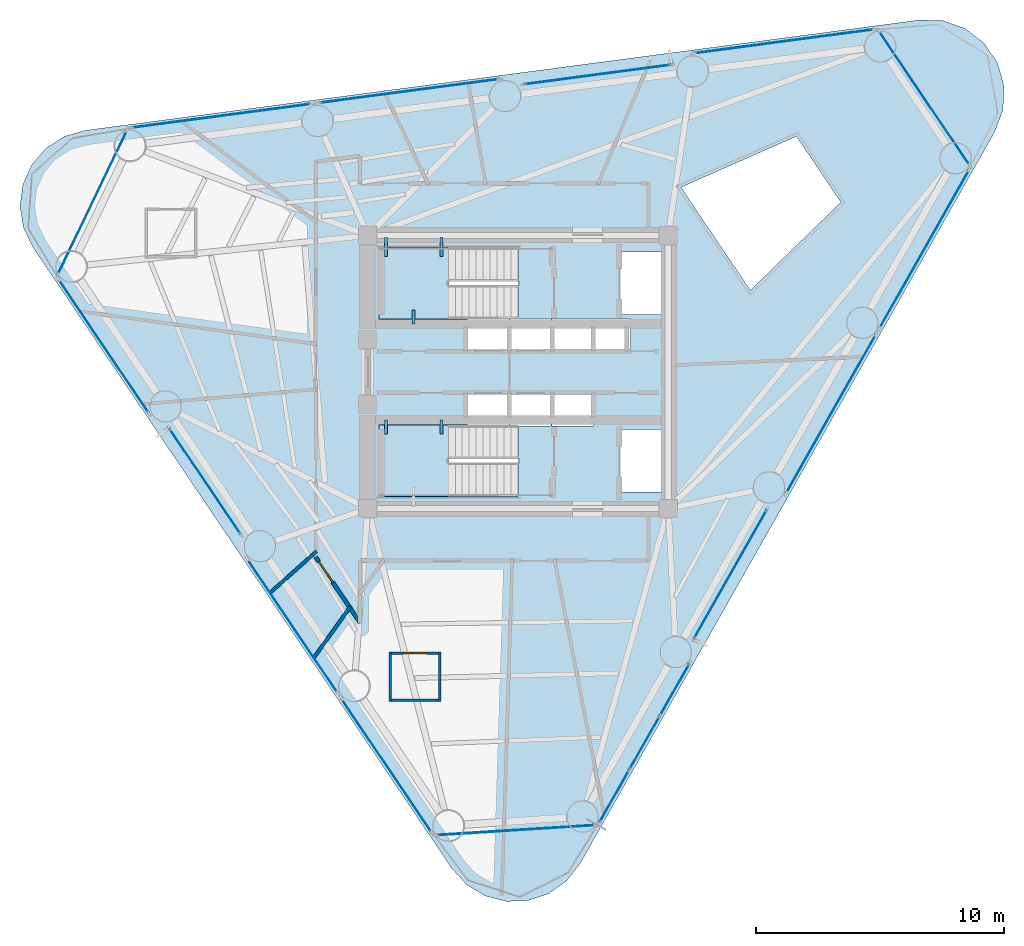
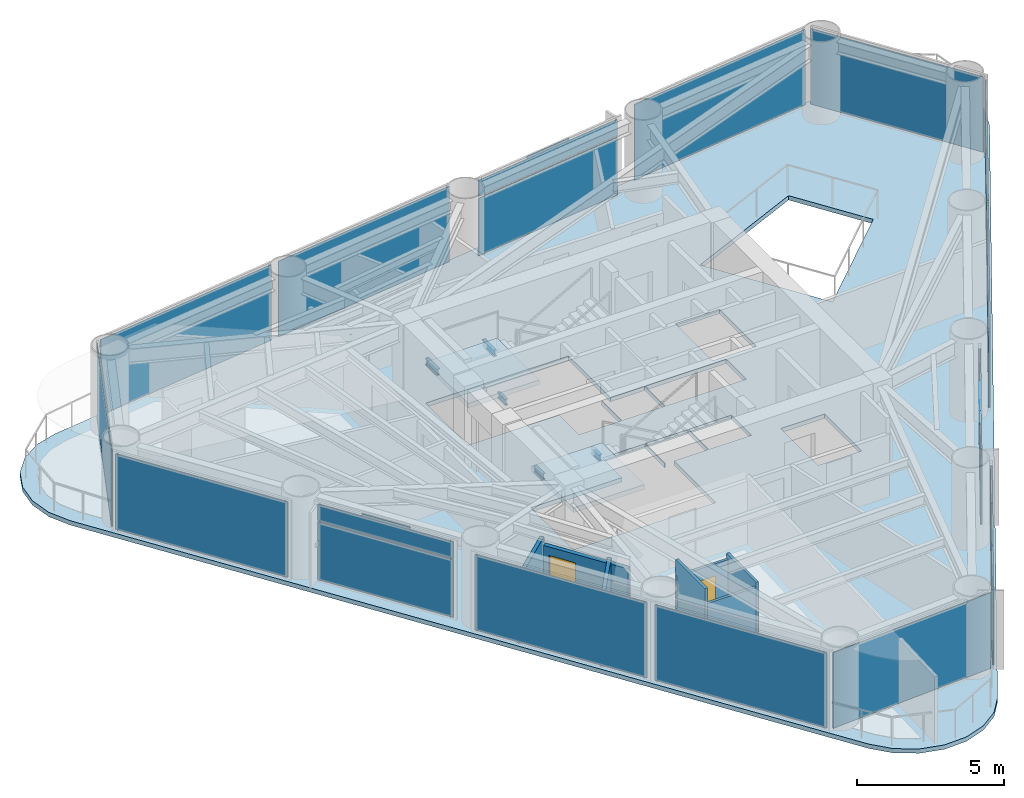
# One storey, part 4 of 9: 26 plates, 7 walls, 5 beams, 3 slabs, 2 doors, 2 openings, 17 elements without a shape of their own.
"""IFC4 building model written with IfcOpenShell, lengths in metres."""

from ifc_helpers import new_model, si_unit, direction, frame, frame_2d, origin, origin_2d, place, context, subcontext, project, spatial, polyline, rectangle, i_section, outline, extrude, source, transform, mapped, material, layer, layer_set, material_profile, profile_set, type_object, element, fill, aggregate, save


model = new_model("IFC4")

# Units and contexts
model_context = context("Model", 3, precision=1e-05, world=origin(), true_north=direction((0.0, 1.0)))
body_context = subcontext(model_context, "Body", "Model", "MODEL_VIEW")
ifc_project = project(units=[si_unit("LENGTHUNIT", "METRE"), si_unit("AREAUNIT", "SQUARE_METRE"), si_unit("VOLUMEUNIT", "CUBIC_METRE"), si_unit("PLANEANGLEUNIT", "RADIAN"), si_unit("MASSUNIT", "GRAM", prefix="KILO")], contexts=[model_context])

# Site, building, storey
site_placement = place(None, origin())
site = spatial("IfcSite", under=ifc_project, at=site_placement, CompositionType="ELEMENT")
building_placement = place(site_placement, origin())
building = spatial("IfcBuilding", under=site, at=building_placement, Name="Yunling Apex Tower", CompositionType="ELEMENT")
storey_placement = place(building_placement, frame((0.0, 0.0, 179.449951171875)))
storey = spatial("IfcBuildingStorey", under=building, at=storey_placement, Name="L44", CompositionType="ELEMENT", Elevation=179.449951171875)

# Beams
ifc_material_1 = material(Name="Steel Q355B", Category="steel")
ifc_material_profile = material_profile(ifc_material_1, i_section(OverallWidth=0.125, OverallDepth=0.25, WebThickness=0.006103515625, FlangeThickness=0.009033203125, FilletRadius=0.011962890625, at=origin_2d()))
ifc_profile_set = profile_set([ifc_material_profile], Name="Steel Q355B")
beam_type = type_object("IfcBeamType", Name="BL-LNT-1", PredefinedType="LINTEL", material=ifc_profile_set)
shared_shape_1 = source(origin(), body_context, "Body", "SweptSolid", [
    extrude(i_section(OverallWidth=0.125, OverallDepth=0.25, WebThickness=0.006103515625, FlangeThickness=0.009033203125, FilletRadius=0.011962890625, at=origin_2d()), origin(), (0.0, 0.0, 1.0), 0.760009765625),
])
for number, where, z_axis, x_axis, name in (
    (1, (-5.320068359375, 5.419921875, 1.405029296875), (0.0, -1.0, 0.0), (1.0, 0.0, 0.0), "L44 ST-1 Landing Bearing Corbel 1-1"),
    (2, (-3.090087890625, 5.419921875, 1.405029296875), (0.0, -1.0, 0.0), (1.0, 0.0, 0.0), "L44 ST-1 Landing Bearing Corbel 1-2"),
):
    element("IfcBeam", number, at=place(storey_placement, frame(where, z_axis=z_axis, x_axis=x_axis)), inside=storey, type_object=beam_type, Name=name, PredefinedType="LINTEL", context=body_context, shape_type="MappedRepresentation", body=[
        mapped(shared_shape_1, transform((0.0, 0.0, 0.0), scale=1.0)),
    ])
shared_shape_2 = source(origin(), body_context, "Body", "SweptSolid", [
    extrude(i_section(OverallWidth=0.125, OverallDepth=0.25, WebThickness=0.006103515625, FlangeThickness=0.009033203125, FilletRadius=0.011962890625, at=origin_2d()), origin(), (0.0, 0.0, 1.0), 0.550048828125),
])
for number, where, z_axis, x_axis, name in (
    (3, (-4.205078125, 1.93994140625, 1.405029296875), (0.0, 1.0, 0.0), (-1.0, 0.0, 0.0), "L44 ST-1 Landing Bearing Corbel 1-3"),
    (4, (-5.320068359375, -1.93994140625, 1.405029296875), (0.0, -1.0, 0.0), (1.0, 0.0, 0.0), "L44 ST-2 Landing Bearing Corbel 1-1"),
    (5, (-3.090087890625, -1.93994140625, 1.405029296875), (0.0, -1.0, 0.0), (1.0, 0.0, 0.0), "L44 ST-2 Landing Bearing Corbel 1-2"),
):
    element("IfcBeam", number, at=place(storey_placement, frame(where, z_axis=z_axis, x_axis=x_axis)), inside=storey, type_object=beam_type, Name=name, PredefinedType="LINTEL", context=body_context, shape_type="MappedRepresentation", body=[
        mapped(shared_shape_2, transform((0.0, 0.0, 0.0), scale=1.0)),
    ])

# Slab
ifc_material_2 = material(Name="Concrete C40", Category="concrete")
ifc_layer_1 = layer(ifc_material_2, 0.1650390625)
ifc_layer_set_1 = layer_set([ifc_layer_1], Name="Concrete C40")
slab_type_1 = type_object("IfcSlabType", Name="SL-FLR-2", PredefinedType="FLOOR", material=ifc_layer_set_1)
slab_1_placement = place(storey_placement, frame((0.0, 0.0, -0.179931640625)))
element("IfcSlab", 6, at=slab_1_placement, inside=storey, type_object=slab_type_1, Name="L44 Composite Tower Floor Slab", PredefinedType="FLOOR", context=body_context, shape_type="SweptSolid", body=[
    extrude(outline(polyline([(-2.665771484375, -20.00146484375), (-2.073486328125, -20.65185546875), (-1.31982421875, -21.10546875), (-0.468017578125, -21.32421875), (0.410888671875, -21.2900390625), (1.243408203125, -21.005615234375), (1.95947265625, -20.494873046875), (2.499267578125, -19.80029296875), (19.197998046875, 9.66650390625), (19.533203125, 10.565185546875), (19.572021484375, 11.5234375), (19.31005859375, 12.4462890625), (18.773681640625, 13.241455078125), (18.01611328125, 13.830078125), (17.113037109375, 14.1533203125), (16.154296875, 14.178955078125), (-17.422119140625, 9.734619140625), (-18.268310546875, 9.494384765625), (-19.01025390625, 9.021728515625), (-19.585693359375, 8.3564453125), (-19.947021484375, 7.554443359375), (-20.06298828125, 6.682373046875), (-19.9248046875, 5.813720703125), (-19.543701171875, 5.02099609375), (-2.665771484375, -20.00146484375)]), holes=[polyline([(11.209228515625, 9.49072265625), (12.998779296875, 6.837890625), (9.356689453125, 3.295654296875), (6.560791015625, 7.44091796875), (11.209228515625, 9.49072265625)]), polyline([(4.090087890625, -2.320068359375), (5.81005859375, -2.320068359375), (5.81005859375, -4.840087890625), (4.090087890625, -4.840087890625), (4.090087890625, -2.320068359375)]), polyline([(5.81005859375, 4.840087890625), (5.81005859375, 2.320068359375), (4.090087890625, 2.320068359375), (4.090087890625, 4.840087890625), (5.81005859375, 4.840087890625)]), polyline([(1.364990234375, 2.1650390625), (4.534912109375, 2.1650390625), (4.534912109375, 0.794921875), (1.364990234375, 0.794921875), (1.364990234375, 2.1650390625)]), polyline([(3.034912109375, -0.794921875), (3.034912109375, -2.1650390625), (1.364990234375, -2.1650390625), (1.364990234375, -0.794921875), (3.034912109375, -0.794921875)]), polyline([(-2.034912109375, -0.794921875), (-0.364990234375, -0.794921875), (-0.364990234375, -2.139892578125), (-0.3349609375, -2.139892578125), (-0.3349609375, -0.794921875), (1.3349609375, -0.794921875), (1.3349609375, -2.1650390625), (-0.010009765625, -2.1650390625), (-0.010009765625, -5.010009765625), (-5.60009765625, -5.010009765625), (-5.60009765625, -2.139892578125), (-2.034912109375, -2.139892578125), (-2.034912109375, -0.794921875)]), polyline([(-5.60009765625, 2.139892578125), (-5.60009765625, 5.010009765625), (-0.010009765625, 5.010009765625), (-0.010009765625, 2.1650390625), (1.3349609375, 2.1650390625), (1.3349609375, 0.794921875), (-0.3349609375, 0.794921875), (-0.3349609375, 2.139892578125), (-0.364990234375, 2.139892578125), (-0.364990234375, 0.794921875), (-2.034912109375, 0.794921875), (-2.034912109375, 2.139892578125), (-5.60009765625, 2.139892578125)])]), origin(), (0.0, 0.0, 1.0), 0.179931640625),
])

# Stair, slab
stair_type = type_object("IfcStairType", Name="ST-TWR-2", PredefinedType="HALF_TURN_STAIR", material=ifc_material_2)
stair_1_placement = place(storey_placement, origin())
stair_1 = element("IfcStair", 7, at=stair_1_placement, inside=storey, type_object=stair_type, Name="L44 North Core Smokeproof Exit Stair ST-1", PredefinedType="HALF_TURN_STAIR")
ifc_layer_2 = layer(ifc_material_2, 0.195068359375)
ifc_layer_set_2 = layer_set([ifc_layer_2], Name="Concrete C40")
slab_type_2 = type_object("IfcSlabType", Name="SL-LND-1", PredefinedType="LANDING", material=ifc_layer_set_2)
slab_2_placement = place(storey_placement, frame((0.0, 0.0, 1.530029296875)))
slab_2 = element("IfcSlab", 8, at=slab_2_placement, type_object=slab_type_2, Name="ST-1 landing 1", PredefinedType="LANDING", context=body_context, shape_type="SweptSolid", body=[
    extrude(outline(polyline([(-2.81005859375, 5.010009765625), (-5.60009765625, 5.010009765625), (-5.60009765625, 2.139892578125), (-2.81005859375, 2.139892578125), (-2.81005859375, 5.010009765625)])), origin(), (0.0, 0.0, 1.0), 0.195068359375),
])
aggregate(stair_1, [slab_2])

stair_2_placement = place(storey_placement, origin())
stair_2 = element("IfcStair", 9, at=stair_2_placement, inside=storey, type_object=stair_type, Name="L44 South Core Smokeproof Exit Stair ST-2", PredefinedType="HALF_TURN_STAIR")
slab_3_placement = place(storey_placement, frame((0.0, 0.0, 1.530029296875)))
slab_3 = element("IfcSlab", 10, at=slab_3_placement, type_object=slab_type_2, Name="ST-2 landing 1", PredefinedType="LANDING", context=body_context, shape_type="SweptSolid", body=[
    extrude(outline(polyline([(-2.81005859375, -2.139892578125), (-5.60009765625, -2.139892578125), (-5.60009765625, -5.010009765625), (-2.81005859375, -5.010009765625), (-2.81005859375, -2.139892578125)])), origin(), (0.0, 0.0, 1.0), 0.195068359375),
])
aggregate(stair_2, [slab_3])

# Plates
ifc_material_3 = material(Name="Bronze anodised aluminium", Category="aluminium")
ifc_layer_3 = layer(ifc_material_3, 0.011962890625)
ifc_layer_set_3 = layer_set([ifc_layer_3], Name="Bronze anodised aluminium")
plate_type_1 = type_object("IfcPlateType", Name="SP-SHT-1", PredefinedType="SHEET", material=ifc_layer_set_3)
shared_shape_3 = source(origin(), body_context, "Body", "SweptSolid", [
    extrude(rectangle(XDim=1.800048828125, YDim=0.02392578125, at=origin_2d()), origin(), (0.0, 0.0, 1.0), 0.43994140625),
])
for number, where, z_axis, x_axis, name in (
    (11, (8.552490234375, -8.1455078125, 2.8701171875), (0.0, 0.0, 1.0), (0.493031062956, 0.87001170737, 0.0), "SP-GRV-L44-F1"),
    (12, (3.206298828125, 11.98095703125, 2.8701171875), (0.0, 0.0, 1.0), (-0.9913534953, -0.131218319443, 0.0), "SP-GRV-L44-F2"),
    (13, (-12.60546875, -4.40673828125, 2.8701171875), (0.0, 0.0, 1.0), (0.559192903471, -0.829037572555, 0.0), "SP-GRV-L44-F3"),
):
    element("IfcPlate", number, at=place(storey_placement, frame(where, z_axis=z_axis, x_axis=x_axis)), inside=storey, type_object=plate_type_1, Name=name, PredefinedType="SHEET", context=body_context, shape_type="MappedRepresentation", body=[
        mapped(shared_shape_3, transform((0.0, 0.0, 0.0), scale=1.0)),
    ])

# Curtain wall, plates
ifc_layer_4 = layer(ifc_material_3, 0.239990234375)
ifc_layer_set_4 = layer_set([ifc_layer_4], Name="Bronze anodised aluminium")
curtain_wall_type = type_object("IfcCurtainWallType", Name="CW-SYS-3", PredefinedType="NOTDEFINED", material=ifc_layer_set_4)
curtain_wall_1_placement = place(storey_placement, origin())
curtain_wall_1 = element("IfcCurtainWall", 14, at=curtain_wall_1_placement, inside=storey, type_object=curtain_wall_type, Name="CW-L44-F1-B1", PredefinedType="NOTDEFINED")
ifc_material_4 = material(Name="Bronze tinted low-E glass", Category="glass")
ifc_layer_5 = layer(ifc_material_4, 0.031982421875)
ifc_layer_set_5 = layer_set([ifc_layer_5], Name="Bronze tinted low-E glass")
plate_type_2 = type_object("IfcPlateType", Name="CW-PNL-3", PredefinedType="CURTAIN_PANEL", material=ifc_layer_set_5)
shared_shape_4 = source(origin(), body_context, "Body", "SweptSolid", [
    extrude(rectangle(XDim=2.3828125, YDim=0.031982421875, at=origin_2d()), origin(), (0.0, 0.0, 1.0), 2.381103515625),
])
plate_1_placement = place(storey_placement, frame((3.874755859375, -17.089111328125, 0.072265625), z_axis=(0.0, 0.0, 1.0), x_axis=(0.493040979859, 0.870006087438, 0.0)))
plate_1 = element("IfcPlate", 15, at=plate_1_placement, type_object=plate_type_2, Name="CW-SYS-3 panel 1.1", PredefinedType="CURTAIN_PANEL", context=body_context, shape_type="MappedRepresentation", body=[
    mapped(shared_shape_4, transform((0.0, 0.0, 0.0), scale=1.0)),
])
plate_2_placement = place(storey_placement, frame((6.307373046875, -12.796875, 0.072265625), z_axis=(0.0, 0.0, 1.0), x_axis=(0.493040979859, 0.870006087438, 0.0)))
plate_2 = element("IfcPlate", 16, at=plate_2_placement, type_object=plate_type_2, Name="CW-SYS-3 panel 3.1", PredefinedType="CURTAIN_PANEL", context=body_context, shape_type="MappedRepresentation", body=[
    mapped(shared_shape_4, transform((0.0, 0.0, 0.0), scale=1.0)),
])
shared_shape_5 = source(origin(), body_context, "Body", "SweptSolid", [
    extrude(rectangle(XDim=2.3828125, YDim=0.031982421875, at=origin_2d()), origin(), (0.0, 0.0, 1.0), 0.680908203125),
])
plate_3_placement = place(storey_placement, frame((3.874755859375, -17.089111328125, 2.51708984375), z_axis=(0.0, 0.0, 1.0), x_axis=(0.493040979859, 0.870006087438, 0.0)))
plate_3 = element("IfcPlate", 17, at=plate_3_placement, type_object=plate_type_2, Name="CW-SYS-3 panel 1.2", PredefinedType="CURTAIN_PANEL", context=body_context, shape_type="MappedRepresentation", body=[
    mapped(shared_shape_5, transform((0.0, 0.0, 0.0), scale=1.0)),
])
plate_4_placement = place(storey_placement, frame((6.307373046875, -12.796875, 2.51708984375), z_axis=(0.0, 0.0, 1.0), x_axis=(0.493040979859, 0.870006087438, 0.0)))
plate_4 = element("IfcPlate", 18, at=plate_4_placement, type_object=plate_type_2, Name="CW-SYS-3 panel 3.2", PredefinedType="CURTAIN_PANEL", context=body_context, shape_type="MappedRepresentation", body=[
    mapped(shared_shape_5, transform((0.0, 0.0, 0.0), scale=1.0)),
])
shared_shape_6 = source(origin(), body_context, "Body", "SweptSolid", [
    extrude(rectangle(XDim=2.4228515625, YDim=0.031982421875, at=origin_2d()), origin(), (0.0, 0.0, 1.0), 2.381103515625),
])
plate_5_placement = place(storey_placement, frame((5.091064453125, -14.943115234375, 0.072265625), z_axis=(0.0, 0.0, 1.0), x_axis=(0.493040979859, 0.870006087438, 0.0)))
plate_5 = element("IfcPlate", 19, at=plate_5_placement, type_object=plate_type_2, Name="CW-SYS-3 panel 2.1", PredefinedType="CURTAIN_PANEL", context=body_context, shape_type="MappedRepresentation", body=[
    mapped(shared_shape_6, transform((0.0, 0.0, 0.0), scale=1.0)),
])
shared_shape_7 = source(origin(), body_context, "Body", "SweptSolid", [
    extrude(rectangle(XDim=2.4228515625, YDim=0.031982421875, at=origin_2d()), origin(), (0.0, 0.0, 1.0), 0.680908203125),
])
plate_6_placement = place(storey_placement, frame((5.091064453125, -14.943115234375, 2.51708984375), z_axis=(0.0, 0.0, 1.0), x_axis=(0.493040979859, 0.870006087438, 0.0)))
plate_6 = element("IfcPlate", 20, at=plate_6_placement, type_object=plate_type_2, Name="CW-SYS-3 panel 2.2", PredefinedType="CURTAIN_PANEL", context=body_context, shape_type="MappedRepresentation", body=[
    mapped(shared_shape_7, transform((0.0, 0.0, 0.0), scale=1.0)),
])
aggregate(curtain_wall_1, [plate_1, plate_3, plate_5, plate_6, plate_2, plate_4])

# Curtain wall, plate
curtain_wall_2_placement = place(storey_placement, origin())
curtain_wall_2 = element("IfcCurtainWall", 21, at=curtain_wall_2_placement, inside=storey, type_object=curtain_wall_type, Name="CW-L44-F1-B2", PredefinedType="NOTDEFINED")
shared_shape_8 = source(origin(), body_context, "Body", "SweptSolid", [
    extrude(rectangle(XDim=5.9365234375, YDim=0.031982421875, at=origin_2d()), origin(), (0.0, 0.0, 1.0), 2.381103515625),
])
plate_7_placement = place(storey_placement, frame((8.552490234375, -8.145263671875, 0.072265625), z_axis=(0.0, 0.0, 1.0), x_axis=(0.493047012471, 0.87000266867, 0.0)))
plate_7 = element("IfcPlate", 22, at=plate_7_placement, type_object=plate_type_2, Name="CW-SYS-3 panel 1.1", PredefinedType="CURTAIN_PANEL", context=body_context, shape_type="MappedRepresentation", body=[
    mapped(shared_shape_8, transform((0.0, 0.0, 0.0), scale=1.0)),
])

curtain_wall_3_placement = place(storey_placement, origin())
curtain_wall_3 = element("IfcCurtainWall", 23, at=curtain_wall_3_placement, inside=storey, type_object=curtain_wall_type, Name="CW-L44-F2-B2", PredefinedType="NOTDEFINED")
plate_8_placement = place(storey_placement, frame((3.206298828125, 11.98095703125, 0.072265625), z_axis=(0.0, 0.0, 1.0), x_axis=(-0.99135526932, -0.131204916036, 0.0)))
plate_8 = element("IfcPlate", 24, at=plate_8_placement, type_object=plate_type_2, Name="CW-SYS-3 panel 1.1", PredefinedType="CURTAIN_PANEL", context=body_context, shape_type="MappedRepresentation", body=[
    mapped(shared_shape_8, transform((0.0, 0.0, 0.0), scale=1.0)),
])

# Plate
shared_shape_9 = source(origin(), body_context, "Body", "SweptSolid", [
    extrude(rectangle(XDim=5.9365234375, YDim=0.031982421875, at=origin_2d()), origin(), (0.0, 0.0, 1.0), 0.680908203125),
])
plate_9_placement = place(storey_placement, frame((8.552490234375, -8.145263671875, 2.51708984375), z_axis=(0.0, 0.0, 1.0), x_axis=(0.493047012471, 0.87000266867, 0.0)))
plate_9 = element("IfcPlate", 25, at=plate_9_placement, type_object=plate_type_2, Name="CW-SYS-3 panel 1.2", PredefinedType="CURTAIN_PANEL", context=body_context, shape_type="MappedRepresentation", body=[
    mapped(shared_shape_9, transform((0.0, 0.0, 0.0), scale=1.0)),
])

aggregate(curtain_wall_2, [plate_7, plate_9])

plate_10_placement = place(storey_placement, frame((3.206298828125, 11.98095703125, 2.51708984375), z_axis=(0.0, 0.0, 1.0), x_axis=(-0.99135526932, -0.131204916036, 0.0)))
plate_10 = element("IfcPlate", 26, at=plate_10_placement, type_object=plate_type_2, Name="CW-SYS-3 panel 1.2", PredefinedType="CURTAIN_PANEL", context=body_context, shape_type="MappedRepresentation", body=[
    mapped(shared_shape_9, transform((0.0, 0.0, 0.0), scale=1.0)),
])

aggregate(curtain_wall_3, [plate_8, plate_10])

# Curtain wall, plate
curtain_wall_4_placement = place(storey_placement, origin())
curtain_wall_4 = element("IfcCurtainWall", 27, at=curtain_wall_4_placement, inside=storey, type_object=curtain_wall_type, Name="CW-L44-F1-B3", PredefinedType="NOTDEFINED")
shared_shape_10 = source(origin(), body_context, "Body", "SweptSolid", [
    extrude(rectangle(XDim=7.316650390625, YDim=0.031982421875, at=origin_2d()), origin(), (0.0, 0.0, 1.0), 3.1259765625),
])
plate_11_placement = place(storey_placement, frame((12.60546875, -1.682861328125, 0.072021484375), z_axis=(0.0, 0.0, 1.0), x_axis=(0.493035230416, 0.870009345679, 0.0)))
plate_11 = element("IfcPlate", 28, at=plate_11_placement, type_object=plate_type_2, Name="CW-SYS-3 panel 1.1", PredefinedType="CURTAIN_PANEL", context=body_context, shape_type="MappedRepresentation", body=[
    mapped(shared_shape_10, transform((0.0, 0.0, 0.0), scale=1.0)),
])
aggregate(curtain_wall_4, [plate_11])

curtain_wall_5_placement = place(storey_placement, origin())
curtain_wall_5 = element("IfcCurtainWall", 29, at=curtain_wall_5_placement, inside=storey, type_object=curtain_wall_type, Name="CW-L44-F1-B4", PredefinedType="NOTDEFINED")
plate_12_placement = place(storey_placement, frame((16.362548828125, 4.947021484375, 0.072021484375), z_axis=(0.0, 0.0, 1.0), x_axis=(0.493040979859, 0.870006087438, 0.0)))
plate_12 = element("IfcPlate", 30, at=plate_12_placement, type_object=plate_type_2, Name="CW-SYS-3 panel 1.1", PredefinedType="CURTAIN_PANEL", context=body_context, shape_type="MappedRepresentation", body=[
    mapped(shared_shape_10, transform((0.0, 0.0, 0.0), scale=1.0)),
])
aggregate(curtain_wall_5, [plate_12])

curtain_wall_6_placement = place(storey_placement, origin())
curtain_wall_6 = element("IfcCurtainWall", 31, at=curtain_wall_6_placement, inside=storey, type_object=curtain_wall_type, Name="CW-L44-F2-B1", PredefinedType="NOTDEFINED")
plate_13_placement = place(storey_placement, frame((10.716552734375, 13.31787109375, 0.072021484375), z_axis=(0.0, 0.0, 1.0), x_axis=(-0.991352945496, -0.131222473138, 0.0)))
plate_13 = element("IfcPlate", 32, at=plate_13_placement, type_object=plate_type_2, Name="CW-SYS-3 panel 1.1", PredefinedType="CURTAIN_PANEL", context=body_context, shape_type="MappedRepresentation", body=[
    mapped(shared_shape_10, transform((0.0, 0.0, 0.0), scale=1.0)),
])
aggregate(curtain_wall_6, [plate_13])

curtain_wall_7_placement = place(storey_placement, origin())
curtain_wall_7 = element("IfcCurtainWall", 33, at=curtain_wall_7_placement, inside=storey, type_object=curtain_wall_type, Name="CW-L44-F2-B3", PredefinedType="NOTDEFINED")
plate_14_placement = place(storey_placement, frame((-4.39306640625, 11.318115234375, 0.072021484375), z_axis=(0.0, 0.0, 1.0), x_axis=(-0.991354689071, -0.13120930019, 0.0)))
plate_14 = element("IfcPlate", 34, at=plate_14_placement, type_object=plate_type_2, Name="CW-SYS-3 panel 1.1", PredefinedType="CURTAIN_PANEL", context=body_context, shape_type="MappedRepresentation", body=[
    mapped(shared_shape_10, transform((0.0, 0.0, 0.0), scale=1.0)),
])
aggregate(curtain_wall_7, [plate_14])

curtain_wall_8_placement = place(storey_placement, origin())
curtain_wall_8 = element("IfcCurtainWall", 35, at=curtain_wall_8_placement, inside=storey, type_object=curtain_wall_type, Name="CW-L44-F2-B4", PredefinedType="NOTDEFINED")
plate_15_placement = place(storey_placement, frame((-11.94775390625, 10.318115234375, 0.072021484375), z_axis=(0.0, 0.0, 1.0), x_axis=(-0.991352945496, -0.131222473138, 0.0)))
plate_15 = element("IfcPlate", 36, at=plate_15_placement, type_object=plate_type_2, Name="CW-SYS-3 panel 1.1", PredefinedType="CURTAIN_PANEL", context=body_context, shape_type="MappedRepresentation", body=[
    mapped(shared_shape_10, transform((0.0, 0.0, 0.0), scale=1.0)),
])
aggregate(curtain_wall_8, [plate_15])

curtain_wall_9_placement = place(storey_placement, origin())
curtain_wall_9 = element("IfcCurtainWall", 37, at=curtain_wall_9_placement, inside=storey, type_object=curtain_wall_type, Name="CW-L44-CRN1", PredefinedType="NOTDEFINED")
shared_shape_11 = source(origin(), body_context, "Body", "SweptSolid", [
    extrude(rectangle(XDim=6.521728515625, YDim=0.031982421875, at=origin_2d()), origin(), (0.0, 0.0, 1.0), 3.1259765625),
])
plate_16_placement = place(storey_placement, frame((16.360107421875, 11.03515625, 0.072021484375), z_axis=(0.0, 0.0, 1.0), x_axis=(-0.559192747259, 0.829037677921, 0.0)))
plate_16 = element("IfcPlate", 38, at=plate_16_placement, type_object=plate_type_2, Name="CW-SYS-3 panel 1.1", PredefinedType="CURTAIN_PANEL", context=body_context, shape_type="MappedRepresentation", body=[
    mapped(shared_shape_11, transform((0.0, 0.0, 0.0), scale=1.0)),
])
aggregate(curtain_wall_9, [plate_16])

curtain_wall_10_placement = place(storey_placement, origin())
curtain_wall_10 = element("IfcCurtainWall", 39, at=curtain_wall_10_placement, inside=storey, type_object=curtain_wall_type, Name="CW-L44-CRN2", PredefinedType="NOTDEFINED")
shared_shape_12 = source(origin(), body_context, "Body", "SweptSolid", [
    extrude(rectangle(XDim=6.441162109375, YDim=0.031982421875, at=origin_2d()), origin(), (0.0, 0.0, 1.0), 3.1259765625),
])
plate_17_placement = place(storey_placement, frame((-17.144775390625, 6.828857421875, 0.072021484375), z_axis=(0.0, 0.0, 1.0), x_axis=(-0.431993843071, -0.901876554496, 0.0)))
plate_17 = element("IfcPlate", 40, at=plate_17_placement, type_object=plate_type_2, Name="CW-SYS-3 panel 1.1", PredefinedType="CURTAIN_PANEL", context=body_context, shape_type="MappedRepresentation", body=[
    mapped(shared_shape_12, transform((0.0, 0.0, 0.0), scale=1.0)),
])
aggregate(curtain_wall_10, [plate_17])

curtain_wall_11_placement = place(storey_placement, origin())
curtain_wall_11 = element("IfcCurtainWall", 41, at=curtain_wall_11_placement, inside=storey, type_object=curtain_wall_type, Name="CW-L44-CRN3", PredefinedType="NOTDEFINED")
plate_18_placement = place(storey_placement, frame((-0.091064453125, -18.454345703125, 0.072021484375), z_axis=(0.0, 0.0, 1.0), x_axis=(0.998034158431, 0.062672311308, 0.0)))
plate_18 = element("IfcPlate", 42, at=plate_18_placement, type_object=plate_type_2, Name="CW-SYS-3 panel 1.1", PredefinedType="CURTAIN_PANEL", context=body_context, shape_type="MappedRepresentation", body=[
    mapped(shared_shape_12, transform((0.0, 0.0, 0.0), scale=1.0)),
])
aggregate(curtain_wall_11, [plate_18])

curtain_wall_12_placement = place(storey_placement, origin())
curtain_wall_12 = element("IfcCurtainWall", 43, at=curtain_wall_12_placement, inside=storey, type_object=curtain_wall_type, Name="CW-L44-F3-B1", PredefinedType="NOTDEFINED")
shared_shape_13 = source(origin(), body_context, "Body", "SweptSolid", [
    extrude(rectangle(XDim=6.487060546875, YDim=0.031982421875, at=origin_2d()), origin(), (0.0, 0.0, 1.0), 3.1259765625),
])
plate_19_placement = place(storey_placement, frame((-16.684814453125, 1.033203125, 0.072021484375), z_axis=(0.0, 0.0, 1.0), x_axis=(0.559181442901, -0.829045302692, 0.0)))
plate_19 = element("IfcPlate", 44, at=plate_19_placement, type_object=plate_type_2, Name="CW-SYS-3 panel 1.1", PredefinedType="CURTAIN_PANEL", context=body_context, shape_type="MappedRepresentation", body=[
    mapped(shared_shape_13, transform((0.0, 0.0, 0.0), scale=1.0)),
])
aggregate(curtain_wall_12, [plate_19])

curtain_wall_13_placement = place(storey_placement, origin())
curtain_wall_13 = element("IfcCurtainWall", 45, at=curtain_wall_13_placement, inside=storey, type_object=curtain_wall_type, Name="CW-L44-F3-B3", PredefinedType="NOTDEFINED")
plate_20_placement = place(storey_placement, frame((-9.08984375, -10.226806640625, 0.072021484375), z_axis=(0.0, 0.0, 1.0), x_axis=(0.559188434042, -0.829040587205, 0.0)))
plate_20 = element("IfcPlate", 46, at=plate_20_placement, type_object=plate_type_2, Name="CW-SYS-3 panel 1.1", PredefinedType="CURTAIN_PANEL", context=body_context, shape_type="MappedRepresentation", body=[
    mapped(shared_shape_13, transform((0.0, 0.0, 0.0), scale=1.0)),
])
aggregate(curtain_wall_13, [plate_20])

curtain_wall_14_placement = place(storey_placement, origin())
curtain_wall_14 = element("IfcCurtainWall", 47, at=curtain_wall_14_placement, inside=storey, type_object=curtain_wall_type, Name="CW-L44-F3-B4", PredefinedType="NOTDEFINED")
plate_21_placement = place(storey_placement, frame((-5.29248046875, -15.85693359375, 0.072021484375), z_axis=(0.0, 0.0, 1.0), x_axis=(0.559181442901, -0.829045302692, 0.0)))
plate_21 = element("IfcPlate", 48, at=plate_21_placement, type_object=plate_type_2, Name="CW-SYS-3 panel 1.1", PredefinedType="CURTAIN_PANEL", context=body_context, shape_type="MappedRepresentation", body=[
    mapped(shared_shape_13, transform((0.0, 0.0, 0.0), scale=1.0)),
])
aggregate(curtain_wall_14, [plate_21])

# Curtain wall, plates
curtain_wall_15_placement = place(storey_placement, origin())
curtain_wall_15 = element("IfcCurtainWall", 49, at=curtain_wall_15_placement, inside=storey, type_object=curtain_wall_type, Name="CW-L44-F3-B2", PredefinedType="NOTDEFINED")
shared_shape_14 = source(origin(), body_context, "Body", "SweptSolid", [
    extrude(rectangle(XDim=5.10693359375, YDim=0.031982421875, at=origin_2d()), origin(), (0.0, 0.0, 1.0), 2.381103515625),
])
plate_22_placement = place(storey_placement, frame((-12.60546875, -4.40673828125, 0.072265625), z_axis=(0.0, 0.0, 1.0), x_axis=(0.559209856873, -0.829026137089, 0.0)))
plate_22 = element("IfcPlate", 50, at=plate_22_placement, type_object=plate_type_2, Name="CW-SYS-3 panel 1.1", PredefinedType="CURTAIN_PANEL", context=body_context, shape_type="MappedRepresentation", body=[
    mapped(shared_shape_14, transform((0.0, 0.0, 0.0), scale=1.0)),
])
shared_shape_15 = source(origin(), body_context, "Body", "SweptSolid", [
    extrude(rectangle(XDim=5.10693359375, YDim=0.031982421875, at=origin_2d()), origin(), (0.0, 0.0, 1.0), 0.680908203125),
])
plate_23_placement = place(storey_placement, frame((-12.60546875, -4.40673828125, 2.51708984375), z_axis=(0.0, 0.0, 1.0), x_axis=(0.559209856873, -0.829026137089, 0.0)))
plate_23 = element("IfcPlate", 51, at=plate_23_placement, type_object=plate_type_2, Name="CW-SYS-3 panel 1.2", PredefinedType="CURTAIN_PANEL", context=body_context, shape_type="MappedRepresentation", body=[
    mapped(shared_shape_15, transform((0.0, 0.0, 0.0), scale=1.0)),
])
aggregate(curtain_wall_15, [plate_22, plate_23])

# Wall, opening, door
ifc_material_5 = material(Name="Gypsum board acoustic partition")
ifc_layer_6 = layer(ifc_material_5, 0.159912109375)
ifc_layer_set_6 = layer_set([ifc_layer_6], Name="Gypsum board acoustic partition")
wall_type_1 = type_object("IfcWallType", Name="WL-PRT-1", PredefinedType="PARTITIONING", material=ifc_layer_set_6)
wall_1_placement = place(storey_placement, frame((-6.360107421875, -10.107421875, 0.0), z_axis=(0.0, 0.0, 1.0), x_axis=(-0.559145325895, 0.829069662049, 0.0)))
wall_1 = element("IfcWall", 52, at=wall_1_placement, inside=storey, type_object=wall_type_1, Name="WL-CORR-L44-01", PredefinedType="PARTITIONING", context=body_context, shape_type="SweptSolid", body=[
    extrude(rectangle(XDim=3.200927734375, YDim=0.159912109375, at=frame_2d((1.6005859375, 0.0))), origin(), (0.0, 0.0, 1.0), 2.60498046875),
])
opening_1_placement = place(wall_1_placement, frame((1.980712890625, 0.0, 0.0)))
opening_1 = element("IfcOpeningElement", 53, at=opening_1_placement, cuts=wall_1, Name="Opening DR-OFF-1", PredefinedType="OPENING", context=body_context, shape_type="SweptSolid", body=[
    extrude(rectangle(XDim=1.0, YDim=2.25, at=frame_2d((0.5, 1.125))), frame((0.0, 0.08984375, 0.0), z_axis=(0.0, -1.0, 0.0), x_axis=(1.0, 0.0, 0.0)), (0.0, 0.0, 1.0), 0.179931640625),
])
door_type_1 = type_object("IfcDoorType", Name="DR-OFF-1", OperationType="NOTDEFINED", PredefinedType="DOOR", material=ifc_material_3)
door_1_placement = place(opening_1_placement, origin())
door_1 = element("IfcDoor", 54, at=door_1_placement, inside=storey, type_object=door_type_1, Name="L44 Banquet Pantry Kitchen Door", OperationType="SINGLE_SWING_RIGHT", OverallHeight=2.25, OverallWidth=1.0, PredefinedType="DOOR", context=body_context, shape_type="SweptSolid", body=[
    extrude(rectangle(XDim=1.0, YDim=2.25, at=frame_2d((0.5, 1.125))), frame((0.0, 0.02490234375, 0.0), z_axis=(0.0, -1.0, 0.0), x_axis=(1.0, 0.0, 0.0)), (0.0, 0.0, 1.0), 0.050048828125),
])
fill(opening_1, door_1)

# Walls
ifc_layer_7 = layer(ifc_material_5, 0.139892578125)
ifc_layer_set_7 = layer_set([ifc_layer_7], Name="Gypsum board acoustic partition")
wall_type_2 = type_object("IfcWallType", Name="WL-PRT-2", PredefinedType="PARTITIONING", material=ifc_layer_set_7)
wall_2_placement = place(storey_placement, frame((-8.110107421875, -7.21728515625, 0.0), z_axis=(0.0, 0.0, 1.0), x_axis=(-0.747006826924, -0.66481636602, 0.0)))
element("IfcWall", 55, at=wall_2_placement, inside=storey, type_object=wall_type_2, Name="WL-RAD-L44-08", PredefinedType="PARTITIONING", context=body_context, shape_type="SweptSolid", body=[
    extrude(rectangle(XDim=2.477294921875, YDim=0.139892578125, at=frame_2d((1.23876953125, 0.0))), origin(), (0.0, 0.0, 1.0), 2.76513671875),
])
wall_3_placement = place(storey_placement, frame((-6.7548828125, -9.450439453125, 0.0), z_axis=(0.0, 0.0, 1.0), x_axis=(-0.581461082044, -0.813574219152, 0.0)))
element("IfcWall", 56, at=wall_3_placement, inside=storey, type_object=wall_type_2, Name="WL-RAD-L44-10", PredefinedType="PARTITIONING", context=body_context, shape_type="SweptSolid", body=[
    extrude(rectangle(XDim=2.486572265625, YDim=0.139892578125, at=frame_2d((1.2431640625, 0.0))), origin(), (0.0, 0.0, 1.0), 2.76513671875),
])

# Wall, opening, door
ifc_layer_8 = layer(ifc_material_5, 0.10009765625)
ifc_layer_set_8 = layer_set([ifc_layer_8], Name="Gypsum board acoustic partition")
wall_type_3 = type_object("IfcWallType", Name="WL-PRT-4", PredefinedType="PARTITIONING", material=ifc_layer_set_8)
wall_4_placement = place(storey_placement, frame((-5.199951171875, -11.319091796875, 0.0), z_axis=(0.0, 0.0, 1.0), x_axis=(1.0, 0.0, 0.0)))
wall_4 = element("IfcWall", 57, at=wall_4_placement, inside=storey, type_object=wall_type_3, Name="WL-ENS-L44-3N", PredefinedType="PARTITIONING", context=body_context, shape_type="SweptSolid", body=[
    extrude(rectangle(XDim=2.099853515625, YDim=0.10009765625, at=frame_2d((1.0498046875, 0.0))), origin(), (0.0, 0.0, 1.0), 2.60498046875),
])
opening_2_placement = place(wall_4_placement, frame((0.590087890625, 0.0, 0.0)))
opening_2 = element("IfcOpeningElement", 58, at=opening_2_placement, cuts=wall_4, Name="Opening DR-WC-1", PredefinedType="OPENING", context=body_context, shape_type="SweptSolid", body=[
    extrude(rectangle(XDim=0.919921875, YDim=2.10009765625, at=frame_2d((0.4599609375, 1.050048828125))), frame((0.0, 0.06005859375, 0.0), z_axis=(0.0, -1.0, 0.0), x_axis=(1.0, 0.0, 0.0)), (0.0, 0.0, 1.0), 0.1201171875),
])
ifc_material_6 = material(Name="Timber moisture-resistant leaf", Category="wood")
door_type_2 = type_object("IfcDoorType", Name="DR-WC-1", OperationType="NOTDEFINED", PredefinedType="DOOR", material=ifc_material_6)
door_2_placement = place(opening_2_placement, origin())
door_2 = element("IfcDoor", 59, at=door_2_placement, inside=storey, type_object=door_type_2, Name="L44 En-Suite Door", OperationType="SINGLE_SWING_RIGHT", OverallHeight=2.10009765625, OverallWidth=0.919921875, PredefinedType="DOOR", context=body_context, shape_type="SweptSolid", body=[
    extrude(rectangle(XDim=0.919921875, YDim=2.10009765625, at=frame_2d((0.4599609375, 1.050048828125))), frame((0.0, 0.02490234375, 0.0), z_axis=(0.0, -1.0, 0.0), x_axis=(1.0, 0.0, 0.0)), (0.0, 0.0, 1.0), 0.050048828125),
])
fill(opening_2, door_2)

# Walls
wall_5_placement = place(storey_placement, frame((-3.10009765625, -13.218994140625, 0.0), z_axis=(0.0, 0.0, 1.0), x_axis=(-1.0, 0.0, 0.0)))
element("IfcWall", 60, at=wall_5_placement, inside=storey, type_object=wall_type_3, Name="WL-ENS-L44-3S", PredefinedType="PARTITIONING", context=body_context, shape_type="SweptSolid", body=[
    extrude(rectangle(XDim=2.099853515625, YDim=0.10009765625, at=frame_2d((1.0498046875, 0.0))), origin(), (0.0, 0.0, 1.0), 2.60498046875),
])
wall_6_placement = place(storey_placement, frame((-3.14990234375, -11.26904296875, 0.0), z_axis=(0.0, 0.0, 1.0), x_axis=(0.0, -1.0, 0.0)))
element("IfcWall", 61, at=wall_6_placement, inside=storey, type_object=wall_type_3, Name="WL-ENS-L44-3E", PredefinedType="PARTITIONING", context=body_context, shape_type="SweptSolid", body=[
    extrude(rectangle(XDim=2.0, YDim=0.10009765625, at=frame_2d((1.0, 0.0))), origin(), (0.0, 0.0, 1.0), 2.804931640625),
])
wall_7_placement = place(storey_placement, frame((-5.14990234375, -13.26904296875, 0.0), z_axis=(0.0, 0.0, 1.0), x_axis=(0.0, 1.0, 0.0)))
element("IfcWall", 62, at=wall_7_placement, inside=storey, type_object=wall_type_3, Name="WL-ENS-L44-3W", PredefinedType="PARTITIONING", context=body_context, shape_type="SweptSolid", body=[
    extrude(rectangle(XDim=2.0, YDim=0.10009765625, at=frame_2d((1.0, 0.0))), origin(), (0.0, 0.0, 1.0), 3.25),
])

save(model, "model.ifc")
